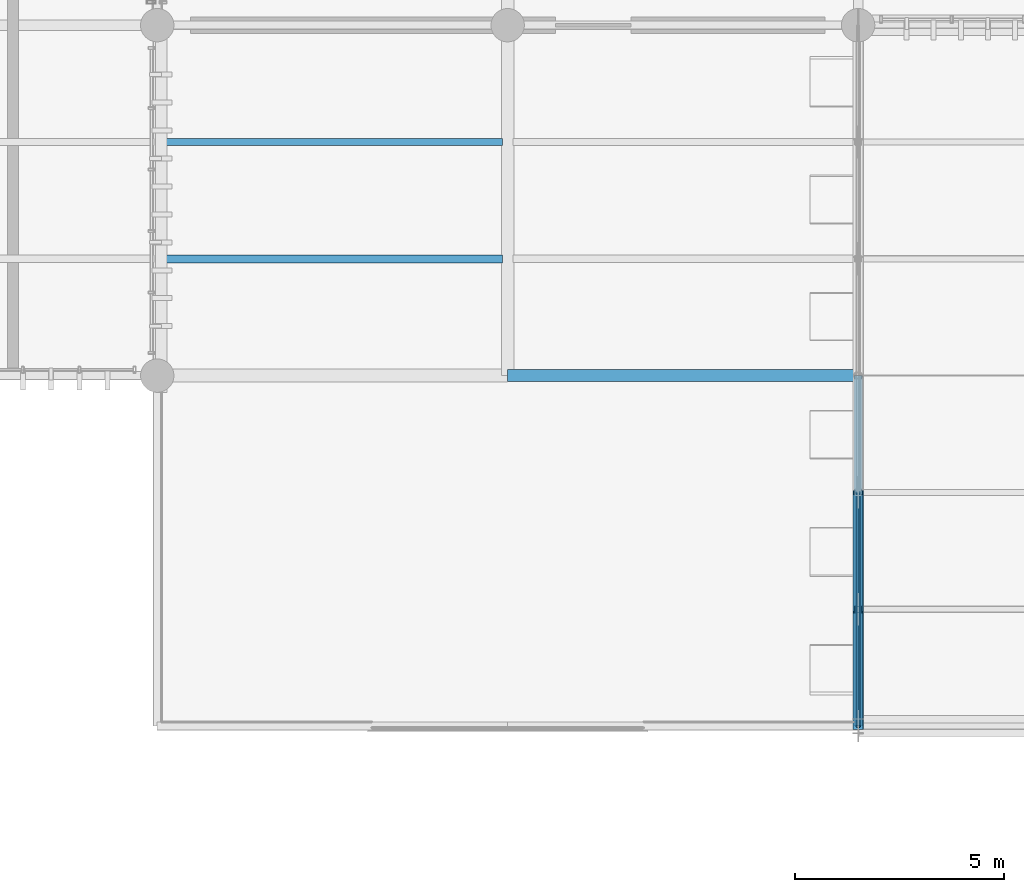
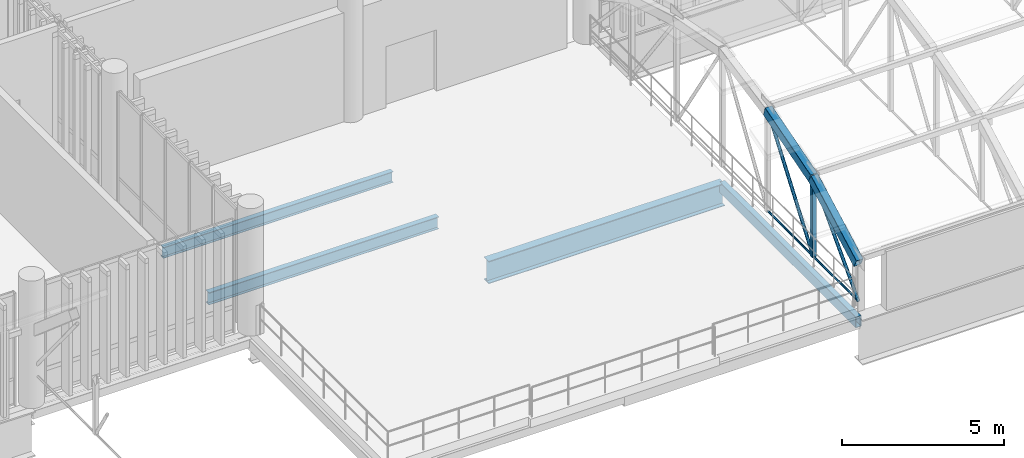
# One storey, part 25 of 109: 6 beams, 5 members.
"""IFC4 building model written with IfcOpenShell, lengths in metres."""

from ifc_helpers import new_model, si_unit, direction, frame, origin_with_axes, origin_2d_with_axis, place, context, subcontext, project, spatial, hollow_rectangle, circle, hollow_circle, i_section, extrude, material, material_profile, profile_set, type_object, element, save


model = new_model("IFC4")

# Units and contexts
model_context = context("Model", 3, precision=1e-05, world=origin_with_axes(), true_north=direction((0.0, 1.0)))
body_context = subcontext(model_context, "Body", "Model", "MODEL_VIEW")
ifc_project = project(units=[si_unit("LENGTHUNIT", "METRE"), si_unit("AREAUNIT", "SQUARE_METRE"), si_unit("VOLUMEUNIT", "CUBIC_METRE"), si_unit("PLANEANGLEUNIT", "RADIAN"), si_unit("MASSUNIT", "GRAM", prefix="KILO"), si_unit("THERMODYNAMICTEMPERATUREUNIT", "KELVIN")], contexts=[model_context])

# Site, building, storey
site_placement = place(None, origin_with_axes())
site = spatial("IfcSite", under=ifc_project, at=site_placement, CompositionType="ELEMENT")
building_placement = place(site_placement, origin_with_axes())
building = spatial("IfcBuilding", under=site, at=building_placement, Name="Montbau Bow Law Courts", CompositionType="ELEMENT")
storey_placement = place(building_placement, frame((0.0, 0.0, 10.8), z_axis=(0.0, 0.0, 1.0), x_axis=(1.0, 0.0, 0.0)))
storey = spatial("IfcBuildingStorey", under=building, at=storey_placement, Name="L02", CompositionType="ELEMENT", Elevation=10.8)

# Beams
ifc_material_1 = material(Name="Steel CSA G40.21 Grade 350WT (350 MPa)", Category="steel")
ifc_material_profile_1 = material_profile(ifc_material_1, hollow_rectangle(XDim=0.254, YDim=0.356, WallThickness=0.0127, InnerFilletRadius=0.0254, OuterFilletRadius=0.0127, at=origin_2d_with_axis()), Name="HSS356X254X13", Category="Main", Priority=0)
ifc_profile_set_1 = profile_set([ifc_material_profile_1], Name="Steel CSA G40.21 Grade 350WT (350 MPa)")
beam_type_1 = type_object("IfcBeamType", Name="B-ARC-01", PredefinedType="USERDEFINED", material=ifc_profile_set_1)
beam_1_placement = place(None, frame((63.6, 22.2, 12.5), z_axis=(0.0, 0.880824397, 0.473443113), x_axis=(-1.0, 0.0, 0.0)))
element("IfcBeam", 1, at=beam_1_placement, inside=storey, type_object=beam_type_1, Name="Barrel vault roof truss arch rib V4-049", ObjectType="ARCH_RIB", PredefinedType="USERDEFINED", context=body_context, shape_type="SweptSolid", body=[
    extrude(hollow_rectangle(XDim=0.254, YDim=0.356, WallThickness=0.0127, InnerFilletRadius=0.0254, OuterFilletRadius=0.0127, at=origin_2d_with_axis()), origin_with_axes(), (0.0, 0.0, 1.0), 3.17884),
])
beam_2_placement = place(None, frame((63.6, 25.0, 14.005), z_axis=(0.0, 0.958856822, 0.283890109), x_axis=(-1.0, 0.0, 0.0)))
element("IfcBeam", 2, at=beam_2_placement, inside=storey, type_object=beam_type_1, Name="Barrel vault roof truss arch rib V4-050", ObjectType="ARCH_RIB", PredefinedType="USERDEFINED", context=body_context, shape_type="SweptSolid", body=[
    extrude(hollow_rectangle(XDim=0.254, YDim=0.356, WallThickness=0.0127, InnerFilletRadius=0.0254, OuterFilletRadius=0.0127, at=origin_2d_with_axis()), origin_with_axes(), (0.0, 0.0, 1.0), 2.920144),
])
ifc_material_2 = material(Name="Steel CSA G40.21 Grade 350W (350 MPa)", Category="steel")
ifc_material_profile_2 = material_profile(ifc_material_2, i_section(OverallWidth=0.293, OverallDepth=0.846, WebThickness=0.0154, FlangeThickness=0.0244, at=origin_2d_with_axis()), Name="W840X210", Category="Main", Priority=0)
ifc_profile_set_2 = profile_set([ifc_material_profile_2], Name="Steel CSA G40.21 Grade 350W (350 MPa)")
beam_type_2 = type_object("IfcBeamType", Name="B-FLR-02", PredefinedType="BEAM", material=ifc_profile_set_2)
beam_3_placement = place(None, frame((55.2, 30.6, 10.057), z_axis=(1.0, 0.0, 0.0), x_axis=(0.0, 1.0, 0.0)))
element("IfcBeam", 3, at=beam_3_placement, inside=storey, type_object=beam_type_2, Name="BM-L02-S0469:bm2_0472", PredefinedType="BEAM", context=body_context, shape_type="SweptSolid", body=[
    extrude(i_section(OverallWidth=0.293, OverallDepth=0.846, WebThickness=0.0154, FlangeThickness=0.0244, at=origin_2d_with_axis()), origin_with_axes(), (0.0, 0.0, 1.0), 8.4),
])
ifc_material_profile_3 = material_profile(ifc_material_2, i_section(OverallWidth=0.191, OverallDepth=0.46, WebThickness=0.0099, FlangeThickness=0.016, at=origin_2d_with_axis()), Name="W460X82", Category="Main", Priority=0)
ifc_profile_set_3 = profile_set([ifc_material_profile_3], Name="Steel CSA G40.21 Grade 350W (350 MPa)")
beam_type_3 = type_object("IfcBeamType", Name="B-JST-01", PredefinedType="JOIST", material=ifc_profile_set_3)
beam_4_placement = place(None, frame((46.88, 33.4, 10.25), z_axis=(1.0, 0.0, 0.0), x_axis=(0.0, 1.0, 0.0)))
element("IfcBeam", 4, at=beam_4_placement, inside=storey, type_object=beam_type_3, Name="JST-L02-S0228:jst2_0228", PredefinedType="JOIST", context=body_context, shape_type="SweptSolid", body=[
    extrude(i_section(OverallWidth=0.191, OverallDepth=0.46, WebThickness=0.0099, FlangeThickness=0.016, at=origin_2d_with_axis()), origin_with_axes(), (0.0, 0.0, 1.0), 8.191),
])
ifc_material_profile_4 = material_profile(ifc_material_2, i_section(OverallWidth=0.179, OverallDepth=0.41, WebThickness=0.0088, FlangeThickness=0.0144, at=origin_2d_with_axis()), Name="W410X67", Category="Main", Priority=0)
ifc_profile_set_4 = profile_set([ifc_material_profile_4], Name="Steel CSA G40.21 Grade 350W (350 MPa)")
beam_type_4 = type_object("IfcBeamType", Name="B-JST-02", PredefinedType="JOIST", material=ifc_profile_set_4)
beam_5_placement = place(None, frame((46.88, 36.2, 10.275), z_axis=(1.0, 0.0, 0.0), x_axis=(0.0, 1.0, 0.0)))
element("IfcBeam", 5, at=beam_5_placement, inside=storey, type_object=beam_type_4, Name="JST-L02-S0229:jst2_0229", PredefinedType="JOIST", context=body_context, shape_type="SweptSolid", body=[
    extrude(i_section(OverallWidth=0.179, OverallDepth=0.41, WebThickness=0.0088, FlangeThickness=0.0144, at=origin_2d_with_axis()), origin_with_axes(), (0.0, 0.0, 1.0), 8.191),
])
ifc_material_profile_5 = material_profile(ifc_material_1, hollow_rectangle(XDim=0.203, YDim=0.406, WallThickness=0.0127, InnerFilletRadius=0.0254, OuterFilletRadius=0.0127, at=origin_2d_with_axis()), Name="HSS406X203X13", Category="Main", Priority=0)
ifc_profile_set_5 = profile_set([ifc_material_profile_5], Name="Steel CSA G40.21 Grade 350WT (350 MPa)")
beam_type_5 = type_object("IfcBeamType", Name="B-SPN-01", PredefinedType="SPANDREL", material=ifc_profile_set_5)
beam_6_placement = place(None, frame((63.6, 22.2, 10.277), z_axis=(0.0, 1.0, 0.0), x_axis=(-1.0, 0.0, 0.0)))
element("IfcBeam", 6, at=beam_6_placement, inside=storey, type_object=beam_type_5, Name="SPN-L02-S0475:bm2_0478", PredefinedType="SPANDREL", context=body_context, shape_type="SweptSolid", body=[
    extrude(hollow_rectangle(XDim=0.203, YDim=0.406, WallThickness=0.0127, InnerFilletRadius=0.0254, OuterFilletRadius=0.0127, at=origin_2d_with_axis()), origin_with_axes(), (0.0, 0.0, 1.0), 8.4),
])

# Members
ifc_material_profile_6 = material_profile(ifc_material_1, hollow_rectangle(XDim=0.152, YDim=0.152, WallThickness=0.0095, InnerFilletRadius=0.019, OuterFilletRadius=0.0095, at=origin_2d_with_axis()), Name="HSS152X152X9.5", Category="Main", Priority=0)
ifc_profile_set_6 = profile_set([ifc_material_profile_6], Name="Steel CSA G40.21 Grade 350WT (350 MPa)")
member_type_1 = type_object("IfcMemberType", Name="M-STR-02", PredefinedType="STRUT", material=ifc_profile_set_6)
member_1_placement = place(None, frame((63.6, 25.0, 11.05), z_axis=(0.0, 0.0, 1.0), x_axis=(1.0, 0.0, 0.0)))
element("IfcMember", 7, at=member_1_placement, inside=storey, type_object=member_type_1, Name="Barrel vault roof truss web post V4-01-1", PredefinedType="STRUT", context=body_context, shape_type="SweptSolid", body=[
    extrude(hollow_rectangle(XDim=0.152, YDim=0.152, WallThickness=0.0095, InnerFilletRadius=0.019, OuterFilletRadius=0.0095, at=origin_2d_with_axis()), origin_with_axes(), (0.0, 0.0, 1.0), 2.955),
])
ifc_material_profile_7 = material_profile(ifc_material_1, hollow_circle(Radius=0.057, WallThickness=0.008, at=origin_2d_with_axis()), Name="HSS114X8.0", Category="Main", Priority=0)
ifc_profile_set_7 = profile_set([ifc_material_profile_7], Name="Steel CSA G40.21 Grade 350WT (350 MPa)")
member_type_2 = type_object("IfcMemberType", Name="M-STR-03", PredefinedType="STRUT", material=ifc_profile_set_7)
member_2_placement = place(None, frame((63.6, 22.2, 11.05), z_axis=(0.0, 0.687812781, 0.725888131), x_axis=(-1.0, 0.0, 0.0)))
element("IfcMember", 8, at=member_2_placement, inside=storey, type_object=member_type_2, Name="Barrel vault roof truss web diagonal V4-01-1", PredefinedType="STRUT", context=body_context, shape_type="SweptSolid", body=[
    extrude(hollow_circle(Radius=0.057, WallThickness=0.008, at=origin_2d_with_axis()), origin_with_axes(), (0.0, 0.0, 1.0), 4.070875),
])
member_3_placement = place(None, frame((63.6, 25.0, 11.05), z_axis=(0.0, 0.594821042, 0.803858151), x_axis=(-1.0, 0.0, 0.0)))
element("IfcMember", 9, at=member_3_placement, inside=storey, type_object=member_type_2, Name="Barrel vault roof truss web diagonal V4-01-2", PredefinedType="STRUT", context=body_context, shape_type="SweptSolid", body=[
    extrude(hollow_circle(Radius=0.057, WallThickness=0.008, at=origin_2d_with_axis()), origin_with_axes(), (0.0, 0.0, 1.0), 4.707298),
])
ifc_material_profile_8 = material_profile(ifc_material_1, circle(Radius=0.038, at=origin_2d_with_axis()), Name="ROD76", Category="Main", Priority=0)
ifc_profile_set_8 = profile_set([ifc_material_profile_8], Name="Steel CSA G40.21 Grade 350WT (350 MPa)")
member_type_3 = type_object("IfcMemberType", Name="M-TIE-01", PredefinedType="USERDEFINED", material=ifc_profile_set_8)
for number, where, z_axis, x_axis, name in (
    (10, (63.6, 22.2, 11.05), (0.0, 1.0, 0.0), (-1.0, 0.0, 0.0), "Barrel vault roof truss tie V4-049"),
    (11, (63.6, 25.0, 11.05), (0.0, 1.0, 0.0), (-1.0, 0.0, 0.0), "Barrel vault roof truss tie V4-050"),
):
    element("IfcMember", number, at=place(None, frame(where, z_axis=z_axis, x_axis=x_axis)), inside=storey, type_object=member_type_3, Name=name, ObjectType="TIEBAR", PredefinedType="USERDEFINED", context=body_context, shape_type="SweptSolid", body=[
        extrude(circle(Radius=0.038, at=origin_2d_with_axis()), origin_with_axes(), (0.0, 0.0, 1.0), 2.8),
    ])

save(model, "model.ifc")
